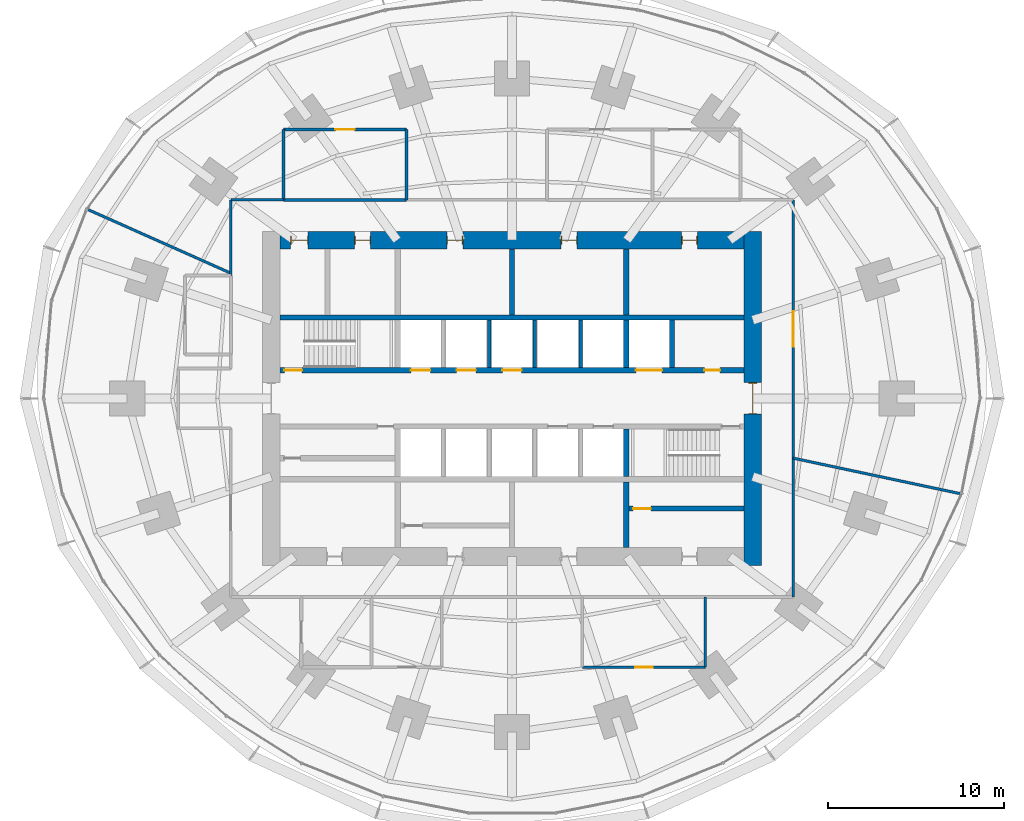
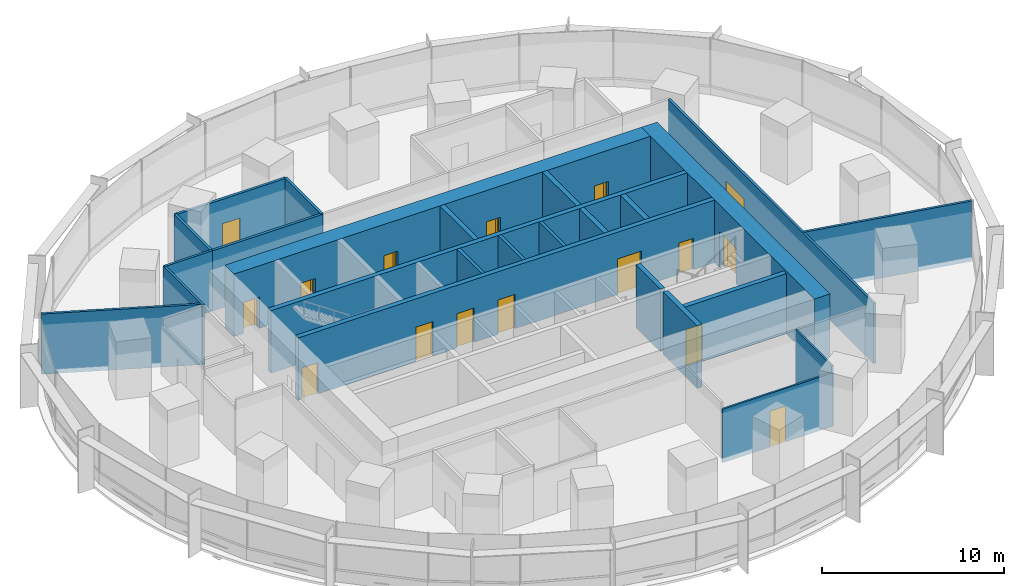
# One storey, part 12 of 15: 25 walls, 16 doors, 16 openings.
"""IFC4 building model written with IfcOpenShell, lengths in metres."""

from ifc_helpers import new_model, si_unit, direction, frame, frame_2d, origin, place, context, subcontext, project, spatial, rectangle, extrude, material, layer, layer_set, type_object, element, fill, save


model = new_model("IFC4")

# Units and contexts
model_context = context("Model", 3, precision=1e-05, world=origin(), true_north=direction((0.0, 1.0)))
body_context = subcontext(model_context, "Body", "Model", "MODEL_VIEW")
ifc_project = project(units=[si_unit("LENGTHUNIT", "METRE"), si_unit("AREAUNIT", "SQUARE_METRE"), si_unit("VOLUMEUNIT", "CUBIC_METRE"), si_unit("PLANEANGLEUNIT", "RADIAN"), si_unit("MASSUNIT", "GRAM", prefix="KILO")], contexts=[model_context])

# Site, building, storey
site_placement = place(None, origin())
site = spatial("IfcSite", under=ifc_project, at=site_placement, CompositionType="ELEMENT")
building_placement = place(site_placement, origin())
building = spatial("IfcBuilding", under=site, at=building_placement, Name="Marramba Exchange Tower", CompositionType="ELEMENT")
storey_placement = place(building_placement, frame((0.0, 0.0, 40.60009765625)))
storey = spatial("IfcBuildingStorey", under=building, at=storey_placement, Name="L09", CompositionType="ELEMENT", Elevation=40.60009765625)

# Wall
ifc_material_1 = material(Name="Plasterboard on staggered double steel studs, acoustic insulation", Category="steel")
ifc_layer_1 = layer(ifc_material_1, 0.169921875)
ifc_layer_set_1 = layer_set([ifc_layer_1], Name="Acoustic partition 170")
wall_type_1 = type_object("IfcWallType", Name="Acoustic partition 170", PredefinedType="PARTITIONING", material=ifc_layer_set_1)
wall_1_placement = place(storey_placement, frame((-6.0, 11.300048828125, 0.0), z_axis=(0.0, 0.0, 1.0), x_axis=(0.0, 1.0, 0.0)))
element("IfcWall", 1, at=wall_1_placement, inside=storey, type_object=wall_type_1, Name="Acoustic partition L09 25", PredefinedType="PARTITIONING", context=body_context, shape_type="SweptSolid", body=[
    extrude(rectangle(XDim=4.0, YDim=0.169921875, at=frame_2d((2.0, 0.0))), origin(), (0.0, 0.0, 1.0), 4.039794921875),
])

# Wall, opening, door
wall_2_placement = place(storey_placement, frame((-6.0, 15.300048828125, 0.0), z_axis=(0.0, 0.0, 1.0), x_axis=(-1.0, 0.0, 0.0)))
wall_2 = element("IfcWall", 2, at=wall_2_placement, inside=storey, type_object=wall_type_1, Name="Acoustic partition L09 26", PredefinedType="PARTITIONING", context=body_context, shape_type="SweptSolid", body=[
    extrude(rectangle(XDim=7.0, YDim=0.169921875, at=frame_2d((3.5, 0.0))), origin(), (0.0, 0.0, 1.0), 4.039794921875),
])
opening_1_placement = place(wall_2_placement, frame((2.949951171875, 0.0, 0.0)))
opening_1 = element("IfcOpeningElement", 3, at=opening_1_placement, cuts=wall_2, Name="Opening D15", PredefinedType="OPENING", context=body_context, shape_type="SweptSolid", body=[
    extrude(rectangle(XDim=1.10009765625, YDim=2.39990234375, at=frame_2d((0.550048828125, 1.199951171875))), frame((0.0, 0.094970703125, 0.0), z_axis=(0.0, -1.0, 0.0), x_axis=(1.0, 0.0, 0.0)), (0.0, 0.0, 1.0), 0.18994140625),
])
ifc_material_2 = material(Name="Timber door", Category="wood")
door_type_1 = type_object("IfcDoorType", Name="Glazed meeting room door 1100x2400", OperationType="SINGLE_SWING_LEFT", PredefinedType="DOOR", material=ifc_material_2)
door_1_placement = place(opening_1_placement, origin())
door_1 = element("IfcDoor", 4, at=door_1_placement, inside=storey, type_object=door_type_1, Name="D15 Meeting Room 2 L09", OperationType="SINGLE_SWING_RIGHT", OverallHeight=2.39990234375, OverallWidth=1.10009765625, PredefinedType="DOOR", context=body_context, shape_type="SweptSolid", body=[
    extrude(rectangle(XDim=1.10009765625, YDim=2.39990234375, at=frame_2d((0.550048828125, 1.199951171875))), frame((0.0, 0.02490234375, 0.0), z_axis=(0.0, -1.0, 0.0), x_axis=(1.0, 0.0, 0.0)), (0.0, 0.0, 1.0), 0.050048828125),
])
fill(opening_1, door_1)

# Walls
wall_3_placement = place(storey_placement, frame((-13.0, 11.300048828125, 0.0), z_axis=(0.0, 0.0, 1.0), x_axis=(1.0, 0.0, 0.0)))
element("IfcWall", 5, at=wall_3_placement, inside=storey, type_object=wall_type_1, Name="Acoustic partition L09 27", PredefinedType="PARTITIONING", context=body_context, shape_type="SweptSolid", body=[
    extrude(rectangle(XDim=7.0, YDim=0.169921875, at=frame_2d((3.5, 0.0))), origin(), (0.0, 0.0, 1.0), 4.039794921875),
])
wall_4_placement = place(storey_placement, frame((-13.0, 15.300048828125, 0.0), z_axis=(0.0, 0.0, 1.0), x_axis=(0.0, -1.0, 0.0)))
element("IfcWall", 6, at=wall_4_placement, inside=storey, type_object=wall_type_1, Name="Acoustic partition L09 28", PredefinedType="PARTITIONING", context=body_context, shape_type="SweptSolid", body=[
    extrude(rectangle(XDim=4.0, YDim=0.169921875, at=frame_2d((2.0, 0.0))), origin(), (0.0, 0.0, 1.0), 4.039794921875),
])
ifc_material_3 = material(Name="Concrete N50", Category="concrete")
ifc_layer_2 = layer(ifc_material_3, 0.199951171875)
ifc_layer_set_2 = layer_set([ifc_layer_2], Name="Core shaft wall 200")
wall_type_2 = type_object("IfcWallType", Name="Core shaft wall 200", PredefinedType="SHEAR", material=ifc_layer_set_2)
for number, where, z_axis, x_axis, name in (
    (7, (-1.300048828125, 1.75, 0.0), (0.0, 0.0, 1.0), (0.0, 1.0, 0.0), "Core wall SHN2 L09"),
    (8, (1.300048828125, 1.75, 0.0), (0.0, 0.0, 1.0), (0.0, 1.0, 0.0), "Core wall SHN3 L09"),
    (9, (3.89990234375, 1.75, 0.0), (0.0, 0.0, 1.0), (0.0, 1.0, 0.0), "Core wall SHN4 L09"),
):
    element("IfcWall", number, at=place(storey_placement, frame(where, z_axis=z_axis, x_axis=x_axis)), inside=storey, type_object=wall_type_2, Name=name, PredefinedType="SHEAR", context=body_context, shape_type="SweptSolid", body=[
        extrude(rectangle(XDim=2.699951171875, YDim=0.199951171875, at=frame_2d((1.35009765625, 0.0))), origin(), (0.0, 0.0, 1.0), 4.199951171875),
    ])

# Wall, openings, doors
ifc_layer_3 = layer(ifc_material_3, 1.0)
ifc_layer_set_3 = layer_set([ifc_layer_3], Name="Core wall 1000")
wall_type_3 = type_object("IfcWallType", Name="Core wall 1000", PredefinedType="SHEAR", material=ifc_layer_set_3)
wall_5_placement = place(storey_placement, frame((13.199951171875, 9.0, 0.0), z_axis=(0.0, 0.0, 1.0), x_axis=(-1.0, 0.0, 0.0)))
wall_5 = element("IfcWall", 10, at=wall_5_placement, inside=storey, type_object=wall_type_3, Name="Core wall N L09", PredefinedType="SHEAR", context=body_context, shape_type="SweptSolid", body=[
    extrude(rectangle(XDim=26.39990234375, YDim=1.0, at=frame_2d((13.199951171875, 0.0))), origin(), (0.0, 0.0, 1.0), 4.199951171875),
])
opening_2_placement = place(wall_5_placement, frame((2.64990234375, 0.0, 0.0)))
opening_2 = element("IfcOpeningElement", 11, at=opening_2_placement, cuts=wall_5, Name="Opening D5", PredefinedType="OPENING", context=body_context, shape_type="SweptSolid", body=[
    extrude(rectangle(XDim=0.89990234375, YDim=2.10009765625, at=frame_2d((0.449951171875, 1.050048828125))), frame((0.0, 0.510009765625, 0.0), z_axis=(0.0, -1.0, 0.0), x_axis=(1.0, 0.0, 0.0)), (0.0, 0.0, 1.0), 1.02001953125),
])
opening_3_placement = place(wall_5_placement, frame((9.5, 0.0, 0.0)))
opening_3 = element("IfcOpeningElement", 12, at=opening_3_placement, cuts=wall_5, Name="Opening D3", PredefinedType="OPENING", context=body_context, shape_type="SweptSolid", body=[
    extrude(rectangle(XDim=0.89990234375, YDim=2.10009765625, at=frame_2d((0.449951171875, 1.050048828125))), frame((0.0, 0.510009765625, 0.0), z_axis=(0.0, -1.0, 0.0), x_axis=(1.0, 0.0, 0.0)), (0.0, 0.0, 1.0), 1.02001953125),
])
opening_4_placement = place(wall_5_placement, frame((16.0, 0.0, 0.0)))
opening_4 = element("IfcOpeningElement", 13, at=opening_4_placement, cuts=wall_5, Name="Opening D3", PredefinedType="OPENING", context=body_context, shape_type="SweptSolid", body=[
    extrude(rectangle(XDim=0.89990234375, YDim=2.10009765625, at=frame_2d((0.449951171875, 1.050048828125))), frame((0.0, 0.510009765625, 0.0), z_axis=(0.0, -1.0, 0.0), x_axis=(1.0, 0.0, 0.0)), (0.0, 0.0, 1.0), 1.02001953125),
])
opening_5_placement = place(wall_5_placement, frame((21.25, 0.0, 0.0)))
opening_5 = element("IfcOpeningElement", 14, at=opening_5_placement, cuts=wall_5, Name="Opening D5", PredefinedType="OPENING", context=body_context, shape_type="SweptSolid", body=[
    extrude(rectangle(XDim=0.89990234375, YDim=2.10009765625, at=frame_2d((0.449951171875, 1.050048828125))), frame((0.0, 0.510009765625, 0.0), z_axis=(0.0, -1.0, 0.0), x_axis=(1.0, 0.0, 0.0)), (0.0, 0.0, 1.0), 1.02001953125),
])
opening_6_placement = place(wall_5_placement, frame((24.800048828125, 0.0, 0.0)))
opening_6 = element("IfcOpeningElement", 15, at=opening_6_placement, cuts=wall_5, Name="Opening D4", PredefinedType="OPENING", context=body_context, shape_type="SweptSolid", body=[
    extrude(rectangle(XDim=1.0, YDim=2.10009765625, at=frame_2d((0.5, 1.050048828125))), frame((0.0, 0.510009765625, 0.0), z_axis=(0.0, -1.0, 0.0), x_axis=(1.0, 0.0, 0.0)), (0.0, 0.0, 1.0), 1.02001953125),
])
ifc_material_4 = material(Name="Steel-framed door", Category="steel")
door_type_2 = type_object("IfcDoorType", Name="Accessible toilet door 1000x2100", OperationType="SINGLE_SWING_LEFT", PredefinedType="DOOR", material=ifc_material_4)
door_2_placement = place(opening_6_placement, origin())
door_2 = element("IfcDoor", 16, at=door_2_placement, inside=storey, type_object=door_type_2, Name="D4 awc L09", OperationType="SINGLE_SWING_RIGHT", OverallHeight=2.10009765625, OverallWidth=1.0, PredefinedType="DOOR", context=body_context, shape_type="SweptSolid", body=[
    extrude(rectangle(XDim=0.919921875, YDim=2.06005859375, at=frame_2d((0.5, 1.030029296875))), frame((0.0, 0.02490234375, 0.0), z_axis=(0.0, -1.0, 0.0), x_axis=(1.0, 0.0, 0.0)), (0.0, 0.0, 1.0), 0.050048828125),
    extrude(rectangle(XDim=0.04, YDim=2.10009765625, at=frame_2d((0.02001953125, 1.050048828125))), frame((0.0, 0.25, 0.0), z_axis=(0.0, -1.0, 0.0), x_axis=(1.0, 0.0, 0.0)), (0.0, 0.0, 1.0), 0.5),
    extrude(rectangle(XDim=0.04, YDim=2.10009765625, at=frame_2d((0.97998046875, 1.050048828125))), frame((0.0, 0.25, 0.0), z_axis=(0.0, -1.0, 0.0), x_axis=(1.0, 0.0, 0.0)), (0.0, 0.0, 1.0), 0.5),
    extrude(rectangle(XDim=0.919921875, YDim=0.04, at=frame_2d((0.5, 2.080078125))), frame((0.0, 0.25, 0.0), z_axis=(0.0, -1.0, 0.0), x_axis=(1.0, 0.0, 0.0)), (0.0, 0.0, 1.0), 0.5),
])
fill(opening_6, door_2)
door_type_3 = type_object("IfcDoorType", Name="Service door 900x2100", OperationType="SINGLE_SWING_LEFT", PredefinedType="DOOR", material=ifc_material_4)
door_3_placement = place(opening_2_placement, origin())
door_3 = element("IfcDoor", 17, at=door_3_placement, inside=storey, type_object=door_type_3, Name="D5 comms L09", OperationType="SINGLE_SWING_LEFT", OverallHeight=2.10009765625, OverallWidth=0.89990234375, PredefinedType="DOOR", context=body_context, shape_type="SweptSolid", body=[
    extrude(rectangle(XDim=0.81982421875, YDim=2.06005859375, at=frame_2d((0.449951171875, 1.030029296875))), frame((0.0, 0.02490234375, 0.0), z_axis=(0.0, -1.0, 0.0), x_axis=(1.0, 0.0, 0.0)), (0.0, 0.0, 1.0), 0.050048828125),
    extrude(rectangle(XDim=0.04, YDim=2.10009765625, at=frame_2d((0.02001953125, 1.050048828125))), frame((0.0, 0.25, 0.0), z_axis=(0.0, -1.0, 0.0), x_axis=(1.0, 0.0, 0.0)), (0.0, 0.0, 1.0), 0.5),
    extrude(rectangle(XDim=0.04, YDim=2.10009765625, at=frame_2d((0.8798828125, 1.050048828125))), frame((0.0, 0.25, 0.0), z_axis=(0.0, -1.0, 0.0), x_axis=(1.0, 0.0, 0.0)), (0.0, 0.0, 1.0), 0.5),
    extrude(rectangle(XDim=0.81982421875, YDim=0.04, at=frame_2d((0.449951171875, 2.080078125))), frame((0.0, 0.25, 0.0), z_axis=(0.0, -1.0, 0.0), x_axis=(1.0, 0.0, 0.0)), (0.0, 0.0, 1.0), 0.5),
])
fill(opening_2, door_3)
door_4_placement = place(opening_5_placement, origin())
door_4 = element("IfcDoor", 18, at=door_4_placement, inside=storey, type_object=door_type_3, Name="D5 cleaner L09", OperationType="SINGLE_SWING_RIGHT", OverallHeight=2.10009765625, OverallWidth=0.89990234375, PredefinedType="DOOR", context=body_context, shape_type="SweptSolid", body=[
    extrude(rectangle(XDim=0.81982421875, YDim=2.06005859375, at=frame_2d((0.449951171875, 1.030029296875))), frame((0.0, 0.02490234375, 0.0), z_axis=(0.0, -1.0, 0.0), x_axis=(1.0, 0.0, 0.0)), (0.0, 0.0, 1.0), 0.050048828125),
    extrude(rectangle(XDim=0.04, YDim=2.10009765625, at=frame_2d((0.02001953125, 1.050048828125))), frame((0.0, 0.25, 0.0), z_axis=(0.0, -1.0, 0.0), x_axis=(1.0, 0.0, 0.0)), (0.0, 0.0, 1.0), 0.5),
    extrude(rectangle(XDim=0.04, YDim=2.10009765625, at=frame_2d((0.8798828125, 1.050048828125))), frame((0.0, 0.25, 0.0), z_axis=(0.0, -1.0, 0.0), x_axis=(1.0, 0.0, 0.0)), (0.0, 0.0, 1.0), 0.5),
    extrude(rectangle(XDim=0.81982421875, YDim=0.04, at=frame_2d((0.449951171875, 2.080078125))), frame((0.0, 0.25, 0.0), z_axis=(0.0, -1.0, 0.0), x_axis=(1.0, 0.0, 0.0)), (0.0, 0.0, 1.0), 0.5),
])
fill(opening_5, door_4)
door_type_4 = type_object("IfcDoorType", Name="Toilet door 900x2100", OperationType="SINGLE_SWING_LEFT", PredefinedType="DOOR", material=ifc_material_4)
door_5_placement = place(opening_3_placement, origin())
door_5 = element("IfcDoor", 19, at=door_5_placement, inside=storey, type_object=door_type_4, Name="D3 wc-f L09", OperationType="SINGLE_SWING_RIGHT", OverallHeight=2.10009765625, OverallWidth=0.89990234375, PredefinedType="DOOR", context=body_context, shape_type="SweptSolid", body=[
    extrude(rectangle(XDim=0.81982421875, YDim=2.06005859375, at=frame_2d((0.449951171875, 1.030029296875))), frame((0.0, 0.02490234375, 0.0), z_axis=(0.0, -1.0, 0.0), x_axis=(1.0, 0.0, 0.0)), (0.0, 0.0, 1.0), 0.050048828125),
    extrude(rectangle(XDim=0.04, YDim=2.10009765625, at=frame_2d((0.02001953125, 1.050048828125))), frame((0.0, 0.25, 0.0), z_axis=(0.0, -1.0, 0.0), x_axis=(1.0, 0.0, 0.0)), (0.0, 0.0, 1.0), 0.5),
    extrude(rectangle(XDim=0.04, YDim=2.10009765625, at=frame_2d((0.8798828125, 1.050048828125))), frame((0.0, 0.25, 0.0), z_axis=(0.0, -1.0, 0.0), x_axis=(1.0, 0.0, 0.0)), (0.0, 0.0, 1.0), 0.5),
    extrude(rectangle(XDim=0.81982421875, YDim=0.04, at=frame_2d((0.449951171875, 2.080078125))), frame((0.0, 0.25, 0.0), z_axis=(0.0, -1.0, 0.0), x_axis=(1.0, 0.0, 0.0)), (0.0, 0.0, 1.0), 0.5),
])
fill(opening_3, door_5)
door_6_placement = place(opening_4_placement, origin())
door_6 = element("IfcDoor", 20, at=door_6_placement, inside=storey, type_object=door_type_4, Name="D3 wc-m L09", OperationType="SINGLE_SWING_RIGHT", OverallHeight=2.10009765625, OverallWidth=0.89990234375, PredefinedType="DOOR", context=body_context, shape_type="SweptSolid", body=[
    extrude(rectangle(XDim=0.81982421875, YDim=2.06005859375, at=frame_2d((0.449951171875, 1.030029296875))), frame((0.0, 0.02490234375, 0.0), z_axis=(0.0, -1.0, 0.0), x_axis=(1.0, 0.0, 0.0)), (0.0, 0.0, 1.0), 0.050048828125),
    extrude(rectangle(XDim=0.04, YDim=2.10009765625, at=frame_2d((0.02001953125, 1.050048828125))), frame((0.0, 0.25, 0.0), z_axis=(0.0, -1.0, 0.0), x_axis=(1.0, 0.0, 0.0)), (0.0, 0.0, 1.0), 0.5),
    extrude(rectangle(XDim=0.04, YDim=2.10009765625, at=frame_2d((0.8798828125, 1.050048828125))), frame((0.0, 0.25, 0.0), z_axis=(0.0, -1.0, 0.0), x_axis=(1.0, 0.0, 0.0)), (0.0, 0.0, 1.0), 0.5),
    extrude(rectangle(XDim=0.81982421875, YDim=0.04, at=frame_2d((0.449951171875, 2.080078125))), frame((0.0, 0.25, 0.0), z_axis=(0.0, -1.0, 0.0), x_axis=(1.0, 0.0, 0.0)), (0.0, 0.0, 1.0), 0.5),
])
fill(opening_4, door_6)

# Wall, opening, door
wall_6_placement = place(storey_placement, frame((13.699951171875, -9.5, 0.0), z_axis=(0.0, 0.0, 1.0), x_axis=(0.0, 1.0, 0.0)))
wall_6 = element("IfcWall", 21, at=wall_6_placement, inside=storey, type_object=wall_type_3, Name="Core wall E L09", PredefinedType="SHEAR", context=body_context, shape_type="SweptSolid", body=[
    extrude(rectangle(XDim=19.0, YDim=1.0, at=frame_2d((9.5, 0.0))), origin(), (0.0, 0.0, 1.0), 4.199951171875),
])
opening_7_placement = place(wall_6_placement, frame((8.60009765625, 0.0, 0.0)))
opening_7 = element("IfcOpeningElement", 22, at=opening_7_placement, cuts=wall_6, Name="Opening D1", PredefinedType="OPENING", context=body_context, shape_type="SweptSolid", body=[
    extrude(rectangle(XDim=1.800048828125, YDim=2.39990234375, at=frame_2d((0.89990234375, 1.199951171875))), frame((0.0, 0.510009765625, 0.0), z_axis=(0.0, -1.0, 0.0), x_axis=(1.0, 0.0, 0.0)), (0.0, 0.0, 1.0), 1.02001953125),
])
door_type_5 = type_object("IfcDoorType", Name="Lobby exit door 1800x2400", OperationType="DOUBLE_DOOR_SINGLE_SWING", PredefinedType="DOOR", material=ifc_material_4)
door_7_placement = place(opening_7_placement, origin())
door_7 = element("IfcDoor", 23, at=door_7_placement, inside=storey, type_object=door_type_5, Name="D1 lobby exit east L09", OperationType="DOUBLE_DOOR_SINGLE_SWING", OverallHeight=2.39990234375, OverallWidth=1.800048828125, PredefinedType="DOOR", context=body_context, shape_type="SweptSolid", body=[
    extrude(rectangle(XDim=1.719970703125, YDim=2.35986328125, at=frame_2d((0.89990234375, 1.179931640625))), frame((0.0, 0.02490234375, 0.0), z_axis=(0.0, -1.0, 0.0), x_axis=(1.0, 0.0, 0.0)), (0.0, 0.0, 1.0), 0.050048828125),
    extrude(rectangle(XDim=0.04, YDim=2.39990234375, at=frame_2d((0.02001953125, 1.199951171875))), frame((0.0, 0.25, 0.0), z_axis=(0.0, -1.0, 0.0), x_axis=(1.0, 0.0, 0.0)), (0.0, 0.0, 1.0), 0.5),
    extrude(rectangle(XDim=0.04, YDim=2.39990234375, at=frame_2d((1.780029296875, 1.199951171875))), frame((0.0, 0.25, 0.0), z_axis=(0.0, -1.0, 0.0), x_axis=(1.0, 0.0, 0.0)), (0.0, 0.0, 1.0), 0.5),
    extrude(rectangle(XDim=1.719970703125, YDim=0.04, at=frame_2d((0.89990234375, 2.3798828125))), frame((0.0, 0.25, 0.0), z_axis=(0.0, -1.0, 0.0), x_axis=(1.0, 0.0, 0.0)), (0.0, 0.0, 1.0), 0.5),
])
fill(opening_7, door_7)

# Wall, openings, doors
ifc_layer_4 = layer(ifc_material_3, 0.300048828125)
ifc_layer_set_4 = layer_set([ifc_layer_4], Name="Core wall 300")
wall_type_4 = type_object("IfcWallType", Name="Core wall 300", PredefinedType="SHEAR", material=ifc_layer_set_4)
wall_7_placement = place(storey_placement, frame((-13.199951171875, 1.60009765625, 0.0), z_axis=(0.0, 0.0, 1.0), x_axis=(1.0, 0.0, 0.0)))
wall_7 = element("IfcWall", 24, at=wall_7_placement, inside=storey, type_object=wall_type_4, Name="Core wall LN L09", PredefinedType="SHEAR", context=body_context, shape_type="SweptSolid", body=[
    extrude(rectangle(XDim=26.39990234375, YDim=0.300048828125, at=frame_2d((13.199951171875, 0.0))), origin(), (0.0, 0.0, 1.0), 4.199951171875),
])
opening_8_placement = place(wall_7_placement, frame((0.25, 0.0, 0.0)))
opening_8 = element("IfcOpeningElement", 25, at=opening_8_placement, cuts=wall_7, Name="Opening D2", PredefinedType="OPENING", context=body_context, shape_type="SweptSolid", body=[
    extrude(rectangle(XDim=1.0, YDim=2.10009765625, at=frame_2d((0.5, 1.050048828125))), frame((0.0, 0.159912109375, 0.0), z_axis=(0.0, -1.0, 0.0), x_axis=(1.0, 0.0, 0.0)), (0.0, 0.0, 1.0), 0.320068359375),
])
opening_9_placement = place(wall_7_placement, frame((20.25, 0.0, 0.0)))
opening_9 = element("IfcOpeningElement", 26, at=opening_9_placement, cuts=wall_7, Name="Opening LD3", PredefinedType="OPENING", context=body_context, shape_type="SweptSolid", body=[
    extrude(rectangle(XDim=1.5, YDim=2.39990234375, at=frame_2d((0.75, 1.199951171875))), frame((0.0, 0.159912109375, 0.0), z_axis=(0.0, -1.0, 0.0), x_axis=(1.0, 0.0, 0.0)), (0.0, 0.0, 1.0), 0.320068359375),
])
opening_10_placement = place(wall_7_placement, frame((7.449951171875, 0.0, 0.0)))
opening_10 = element("IfcOpeningElement", 27, at=opening_10_placement, cuts=wall_7, Name="Opening LD1", PredefinedType="OPENING", context=body_context, shape_type="SweptSolid", body=[
    extrude(rectangle(XDim=1.10009765625, YDim=2.300048828125, at=frame_2d((0.550048828125, 1.14990234375))), frame((0.0, 0.159912109375, 0.0), z_axis=(0.0, -1.0, 0.0), x_axis=(1.0, 0.0, 0.0)), (0.0, 0.0, 1.0), 0.320068359375),
])
opening_11_placement = place(wall_7_placement, frame((10.050048828125, 0.0, 0.0)))
opening_11 = element("IfcOpeningElement", 28, at=opening_11_placement, cuts=wall_7, Name="Opening LD1", PredefinedType="OPENING", context=body_context, shape_type="SweptSolid", body=[
    extrude(rectangle(XDim=1.10009765625, YDim=2.300048828125, at=frame_2d((0.550048828125, 1.14990234375))), frame((0.0, 0.159912109375, 0.0), z_axis=(0.0, -1.0, 0.0), x_axis=(1.0, 0.0, 0.0)), (0.0, 0.0, 1.0), 0.320068359375),
])
opening_12_placement = place(wall_7_placement, frame((12.64990234375, 0.0, 0.0)))
opening_12 = element("IfcOpeningElement", 29, at=opening_12_placement, cuts=wall_7, Name="Opening LD1", PredefinedType="OPENING", context=body_context, shape_type="SweptSolid", body=[
    extrude(rectangle(XDim=1.10009765625, YDim=2.300048828125, at=frame_2d((0.550048828125, 1.14990234375))), frame((0.0, 0.159912109375, 0.0), z_axis=(0.0, -1.0, 0.0), x_axis=(1.0, 0.0, 0.0)), (0.0, 0.0, 1.0), 0.320068359375),
])
opening_13_placement = place(wall_7_placement, frame((24.14990234375, 0.0, 0.0)))
opening_13 = element("IfcOpeningElement", 30, at=opening_13_placement, cuts=wall_7, Name="Opening D5", PredefinedType="OPENING", context=body_context, shape_type="SweptSolid", body=[
    extrude(rectangle(XDim=0.89990234375, YDim=2.10009765625, at=frame_2d((0.449951171875, 1.050048828125))), frame((0.0, 0.159912109375, 0.0), z_axis=(0.0, -1.0, 0.0), x_axis=(1.0, 0.0, 0.0)), (0.0, 0.0, 1.0), 0.320068359375),
])
door_type_6 = type_object("IfcDoorType", Name="Goods lift landing door 1500x2400", OperationType="SLIDING_TO_LEFT", PredefinedType="DOOR", material=ifc_material_4)
door_8_placement = place(opening_9_placement, origin())
door_8 = element("IfcDoor", 31, at=door_8_placement, inside=storey, type_object=door_type_6, Name="GL1 landing door L09", OperationType="SLIDING_TO_LEFT", OverallHeight=2.39990234375, OverallWidth=1.5, PredefinedType="DOOR", context=body_context, shape_type="SweptSolid", body=[
    extrude(rectangle(XDim=1.5, YDim=2.39990234375, at=frame_2d((0.75, 1.199951171875))), frame((0.0, 0.02490234375, 0.0), z_axis=(0.0, -1.0, 0.0), x_axis=(1.0, 0.0, 0.0)), (0.0, 0.0, 1.0), 0.050048828125),
])
fill(opening_9, door_8)
door_type_7 = type_object("IfcDoorType", Name="Lift landing door 1100x2300", OperationType="SLIDING_TO_LEFT", PredefinedType="DOOR", material=ifc_material_4)
door_9_placement = place(opening_10_placement, origin())
door_9 = element("IfcDoor", 32, at=door_9_placement, inside=storey, type_object=door_type_7, Name="LA1 landing door L09", OperationType="SLIDING_TO_LEFT", OverallHeight=2.300048828125, OverallWidth=1.10009765625, PredefinedType="DOOR", context=body_context, shape_type="SweptSolid", body=[
    extrude(rectangle(XDim=1.10009765625, YDim=2.300048828125, at=frame_2d((0.550048828125, 1.14990234375))), frame((0.0, 0.02490234375, 0.0), z_axis=(0.0, -1.0, 0.0), x_axis=(1.0, 0.0, 0.0)), (0.0, 0.0, 1.0), 0.050048828125),
])
fill(opening_10, door_9)
door_10_placement = place(opening_11_placement, origin())
door_10 = element("IfcDoor", 33, at=door_10_placement, inside=storey, type_object=door_type_7, Name="LA2 landing door L09", OperationType="SLIDING_TO_LEFT", OverallHeight=2.300048828125, OverallWidth=1.10009765625, PredefinedType="DOOR", context=body_context, shape_type="SweptSolid", body=[
    extrude(rectangle(XDim=1.10009765625, YDim=2.300048828125, at=frame_2d((0.550048828125, 1.14990234375))), frame((0.0, 0.02490234375, 0.0), z_axis=(0.0, -1.0, 0.0), x_axis=(1.0, 0.0, 0.0)), (0.0, 0.0, 1.0), 0.050048828125),
])
fill(opening_11, door_10)
door_11_placement = place(opening_12_placement, origin())
door_11 = element("IfcDoor", 34, at=door_11_placement, inside=storey, type_object=door_type_7, Name="LA3 landing door L09", OperationType="SLIDING_TO_RIGHT", OverallHeight=2.300048828125, OverallWidth=1.10009765625, PredefinedType="DOOR", context=body_context, shape_type="SweptSolid", body=[
    extrude(rectangle(XDim=1.10009765625, YDim=2.300048828125, at=frame_2d((0.550048828125, 1.14990234375))), frame((0.0, 0.02490234375, 0.0), z_axis=(0.0, -1.0, 0.0), x_axis=(1.0, 0.0, 0.0)), (0.0, 0.0, 1.0), 0.050048828125),
])
fill(opening_12, door_11)
door_12_placement = place(opening_13_placement, origin())
door_12 = element("IfcDoor", 35, at=door_12_placement, inside=storey, type_object=door_type_3, Name="D5 riser L09", OperationType="SINGLE_SWING_RIGHT", OverallHeight=2.10009765625, OverallWidth=0.89990234375, PredefinedType="DOOR", context=body_context, shape_type="SweptSolid", body=[
    extrude(rectangle(XDim=0.89990234375, YDim=2.10009765625, at=frame_2d((0.449951171875, 1.050048828125))), frame((0.0, 0.02490234375, 0.0), z_axis=(0.0, -1.0, 0.0), x_axis=(1.0, 0.0, 0.0)), (0.0, 0.0, 1.0), 0.050048828125),
])
fill(opening_13, door_12)
door_type_8 = type_object("IfcDoorType", Name="Stair door 1000x2100", OperationType="SINGLE_SWING_LEFT", PredefinedType="DOOR", material=ifc_material_4)
door_13_placement = place(opening_8_placement, origin())
door_13 = element("IfcDoor", 36, at=door_13_placement, inside=storey, type_object=door_type_8, Name="D2 stair ST1 L09", OperationType="SINGLE_SWING_LEFT", OverallHeight=2.10009765625, OverallWidth=1.0, PredefinedType="DOOR", context=body_context, shape_type="SweptSolid", body=[
    extrude(rectangle(XDim=1.0, YDim=2.10009765625, at=frame_2d((0.5, 1.050048828125))), frame((0.0, 0.02490234375, 0.0), z_axis=(0.0, -1.0, 0.0), x_axis=(1.0, 0.0, 0.0)), (0.0, 0.0, 1.0), 0.050048828125),
])
fill(opening_8, door_13)

# Walls
wall_8_placement = place(storey_placement, frame((-13.199951171875, 4.60009765625, 0.0), z_axis=(0.0, 0.0, 1.0), x_axis=(1.0, 0.0, 0.0)))
element("IfcWall", 37, at=wall_8_placement, inside=storey, type_object=wall_type_4, Name="Core wall BN L09", PredefinedType="SHEAR", context=body_context, shape_type="SweptSolid", body=[
    extrude(rectangle(XDim=26.39990234375, YDim=0.300048828125, at=frame_2d((13.199951171875, 0.0))), origin(), (0.0, 0.0, 1.0), 4.199951171875),
])
wall_9_placement = place(storey_placement, frame((6.5, 1.75, 0.0), z_axis=(0.0, 0.0, 1.0), x_axis=(0.0, 1.0, 0.0)))
element("IfcWall", 38, at=wall_9_placement, inside=storey, type_object=wall_type_4, Name="Core wall X1Na L09", PredefinedType="SHEAR", context=body_context, shape_type="SweptSolid", body=[
    extrude(rectangle(XDim=2.699951171875, YDim=0.300048828125, at=frame_2d((1.35009765625, 0.0))), origin(), (0.0, 0.0, 1.0), 4.199951171875),
])
for number, where, z_axis, x_axis, name in (
    (39, (6.5, 4.75, 0.0), (0.0, 0.0, 1.0), (0.0, 1.0, 0.0), "Core wall X1Nb L09"),
    (40, (0.0, 4.75, 0.0), (0.0, 0.0, 1.0), (0.0, 1.0, 0.0), "Core wall MN L09"),
):
    element("IfcWall", number, at=place(storey_placement, frame(where, z_axis=z_axis, x_axis=x_axis)), inside=storey, type_object=wall_type_4, Name=name, PredefinedType="SHEAR", context=body_context, shape_type="SweptSolid", body=[
        extrude(rectangle(XDim=3.75, YDim=0.300048828125, at=frame_2d((1.875, 0.0))), origin(), (0.0, 0.0, 1.0), 4.199951171875),
    ])
wall_10_placement = place(storey_placement, frame((6.5, -1.75, 0.0), z_axis=(0.0, 0.0, 1.0), x_axis=(0.0, -1.0, 0.0)))
element("IfcWall", 41, at=wall_10_placement, inside=storey, type_object=wall_type_4, Name="Core wall X1Sa L09", PredefinedType="SHEAR", context=body_context, shape_type="SweptSolid", body=[
    extrude(rectangle(XDim=2.699951171875, YDim=0.300048828125, at=frame_2d((1.35009765625, 0.0))), origin(), (0.0, 0.0, 1.0), 4.199951171875),
])
wall_11_placement = place(storey_placement, frame((6.5, -4.75, 0.0), z_axis=(0.0, 0.0, 1.0), x_axis=(0.0, -1.0, 0.0)))
element("IfcWall", 42, at=wall_11_placement, inside=storey, type_object=wall_type_4, Name="Core wall X1Sb L09", PredefinedType="SHEAR", context=body_context, shape_type="SweptSolid", body=[
    extrude(rectangle(XDim=3.75, YDim=0.300048828125, at=frame_2d((1.875, 0.0))), origin(), (0.0, 0.0, 1.0), 4.199951171875),
])
wall_12_placement = place(storey_placement, frame((9.10009765625, 1.75, 0.0), z_axis=(0.0, 0.0, 1.0), x_axis=(0.0, 1.0, 0.0)))
element("IfcWall", 43, at=wall_12_placement, inside=storey, type_object=wall_type_4, Name="Core wall ED L09", PredefinedType="SHEAR", context=body_context, shape_type="SweptSolid", body=[
    extrude(rectangle(XDim=2.699951171875, YDim=0.300048828125, at=frame_2d((1.35009765625, 0.0))), origin(), (0.0, 0.0, 1.0), 4.199951171875),
])

# Wall, opening, door
ifc_material_5 = material(Name="Plasterboard on steel studs", Category="steel")
ifc_layer_5 = layer(ifc_material_5, 0.1201171875)
ifc_layer_set_5 = layer_set([ifc_layer_5], Name="Partition 120")
wall_type_5 = type_object("IfcWallType", Name="Partition 120", PredefinedType="PARTITIONING", material=ifc_layer_set_5)
wall_13_placement = place(storey_placement, frame((4.0, -15.300048828125, 0.0), z_axis=(0.0, 0.0, 1.0), x_axis=(1.0, 0.0, 0.0)))
wall_13 = element("IfcWall", 44, at=wall_13_placement, inside=storey, type_object=wall_type_5, Name="Partition L09 12", PredefinedType="PARTITIONING", context=body_context, shape_type="SweptSolid", body=[
    extrude(rectangle(XDim=7.0, YDim=0.1201171875, at=frame_2d((3.5, 0.0))), origin(), (0.0, 0.0, 1.0), 3.5859375),
])
opening_14_placement = place(wall_13_placement, frame((3.0, 0.0, 0.0)))
opening_14 = element("IfcOpeningElement", 45, at=opening_14_placement, cuts=wall_13, Name="Opening D9", PredefinedType="OPENING", context=body_context, shape_type="SweptSolid", body=[
    extrude(rectangle(XDim=1.0, YDim=2.39990234375, at=frame_2d((0.5, 1.199951171875))), frame((0.0, 0.070068359375, 0.0), z_axis=(0.0, -1.0, 0.0), x_axis=(1.0, 0.0, 0.0)), (0.0, 0.0, 1.0), 0.14013671875),
])
door_type_9 = type_object("IfcDoorType", Name="Room door 1000x2400", OperationType="SINGLE_SWING_LEFT", PredefinedType="DOOR", material=ifc_material_2)
door_14_placement = place(opening_14_placement, origin())
door_14 = element("IfcDoor", 46, at=door_14_placement, inside=storey, type_object=door_type_9, Name="D9 Pantry L09", OperationType="SINGLE_SWING_RIGHT", OverallHeight=2.39990234375, OverallWidth=1.0, PredefinedType="DOOR", context=body_context, shape_type="SweptSolid", body=[
    extrude(rectangle(XDim=1.0, YDim=2.39990234375, at=frame_2d((0.5, 1.199951171875))), frame((0.0, 0.02490234375, 0.0), z_axis=(0.0, -1.0, 0.0), x_axis=(1.0, 0.0, 0.0)), (0.0, 0.0, 1.0), 0.050048828125),
])
fill(opening_14, door_14)

# Wall
wall_14_placement = place(storey_placement, frame((11.0, -15.300048828125, 0.0), z_axis=(0.0, 0.0, 1.0), x_axis=(0.0, 1.0, 0.0)))
element("IfcWall", 47, at=wall_14_placement, inside=storey, type_object=wall_type_5, Name="Partition L09 13", PredefinedType="PARTITIONING", context=body_context, shape_type="SweptSolid", body=[
    extrude(rectangle(XDim=4.0, YDim=0.1201171875, at=frame_2d((2.0, 0.0))), origin(), (0.0, 0.0, 1.0), 4.039794921875),
])

# Wall, opening, door
ifc_material_6 = material(Name="Plasterboard on steel studs, insulated, unrated", Category="steel")
ifc_layer_6 = layer(ifc_material_6, 0.300048828125)
ifc_layer_set_6 = layer_set([ifc_layer_6], Name="Store partition 300")
wall_type_6 = type_object("IfcWallType", Name="Store partition 300", PredefinedType="PARTITIONING", material=ifc_layer_set_6)
wall_15_placement = place(storey_placement, frame((6.64990234375, -6.27197265625, 0.0), z_axis=(0.0, 0.0, 1.0), x_axis=(1.0, 0.0, 0.0)))
wall_15 = element("IfcWall", 48, at=wall_15_placement, inside=storey, type_object=wall_type_6, Name="Store partition L09 cstore", PredefinedType="PARTITIONING", context=body_context, shape_type="SweptSolid", body=[
    extrude(rectangle(XDim=6.550048828125, YDim=0.300048828125, at=frame_2d((3.27490234375, 0.0))), origin(), (0.0, 0.0, 1.0), 4.039794921875),
])
opening_15_placement = place(wall_15_placement, frame((0.25, 0.0, 0.0)))
opening_15 = element("IfcOpeningElement", 49, at=opening_15_placement, cuts=wall_15, Name="Opening D9", PredefinedType="OPENING", context=body_context, shape_type="SweptSolid", body=[
    extrude(rectangle(XDim=1.0, YDim=2.39990234375, at=frame_2d((0.5, 1.199951171875))), frame((0.0, 0.159912109375, 0.0), z_axis=(0.0, -1.0, 0.0), x_axis=(1.0, 0.0, 0.0)), (0.0, 0.0, 1.0), 0.320068359375),
])
door_15_placement = place(opening_15_placement, origin())
door_15 = element("IfcDoor", 50, at=door_15_placement, inside=storey, type_object=door_type_9, Name="D9 general store L09", OperationType="SINGLE_SWING_LEFT", OverallHeight=2.39990234375, OverallWidth=1.0, PredefinedType="DOOR", context=body_context, shape_type="SweptSolid", body=[
    extrude(rectangle(XDim=1.0, YDim=2.39990234375, at=frame_2d((0.5, 1.199951171875))), frame((0.0, 0.02490234375, 0.0), z_axis=(0.0, -1.0, 0.0), x_axis=(1.0, 0.0, 0.0)), (0.0, 0.0, 1.0), 0.050048828125),
])
fill(opening_15, door_15)

# Wall
ifc_material_7 = material(Name="Fire-rated plasterboard on steel studs, acoustic insulation", Category="steel")
ifc_layer_7 = layer(ifc_material_7, 0.14990234375)
ifc_layer_set_7 = layer_set([ifc_layer_7], Name="Tenancy wall 150")
wall_type_7 = type_object("IfcWallType", Name="Tenancy wall 150", PredefinedType="PARTITIONING", material=ifc_layer_set_7)
wall_16_placement = place(storey_placement, frame((25.50634765625, -5.421630859375, 0.0), z_axis=(0.0, 0.0, 1.0), x_axis=(-0.978145186273, 0.207923049637, 0.0)))
element("IfcWall", 51, at=wall_16_placement, inside=storey, type_object=wall_type_7, Name="Tenancy wall L09 14", PredefinedType="PARTITIONING", context=body_context, shape_type="SweptSolid", body=[
    extrude(rectangle(XDim=9.71875, YDim=0.14990234375, at=frame_2d((4.859375, 0.0))), origin(), (0.0, 0.0, 1.0), 4.039794921875),
])

# Wall, opening, door
wall_17_placement = place(storey_placement, frame((16.0, -11.300048828125, 0.0), z_axis=(0.0, 0.0, 1.0), x_axis=(0.0, 1.0, 0.0)))
wall_17 = element("IfcWall", 52, at=wall_17_placement, inside=storey, type_object=wall_type_7, Name="Tenancy wall L09 15", PredefinedType="PARTITIONING", context=body_context, shape_type="SweptSolid", body=[
    extrude(rectangle(XDim=22.60009765625, YDim=0.14990234375, at=frame_2d((11.300048828125, 0.0))), origin(), (0.0, 0.0, 1.0), 4.039794921875),
])
opening_16_placement = place(wall_17_placement, frame((14.25, 0.0, 0.0)))
opening_16 = element("IfcOpeningElement", 53, at=opening_16_placement, cuts=wall_17, Name="Opening D17", PredefinedType="OPENING", context=body_context, shape_type="SweptSolid", body=[
    extrude(rectangle(XDim=2.0, YDim=2.39990234375, at=frame_2d((1.0, 1.199951171875))), frame((0.0, 0.0849609375, 0.0), z_axis=(0.0, -1.0, 0.0), x_axis=(1.0, 0.0, 0.0)), (0.0, 0.0, 1.0), 0.169921875),
])
door_type_10 = type_object("IfcDoorType", Name="Trading floor entry door pair 2000x2400", OperationType="DOUBLE_DOOR_SINGLE_SWING", PredefinedType="DOOR", material=ifc_material_4)
door_16_placement = place(opening_16_placement, origin())
door_16 = element("IfcDoor", 54, at=door_16_placement, inside=storey, type_object=door_type_10, Name="D17 Trading Floor 1 L09", OperationType="DOUBLE_DOOR_SINGLE_SWING", OverallHeight=2.39990234375, OverallWidth=2.0, PredefinedType="DOOR", context=body_context, shape_type="SweptSolid", body=[
    extrude(rectangle(XDim=2.0, YDim=2.39990234375, at=frame_2d((1.0, 1.199951171875))), frame((0.0, 0.02490234375, 0.0), z_axis=(0.0, -1.0, 0.0), x_axis=(1.0, 0.0, 0.0)), (0.0, 0.0, 1.0), 0.050048828125),
])
fill(opening_16, door_16)

# Walls
wall_18_placement = place(storey_placement, frame((-13.0, 11.300048828125, 0.0), z_axis=(0.0, 0.0, 1.0), x_axis=(-1.0, 0.0, 0.0)))
element("IfcWall", 55, at=wall_18_placement, inside=storey, type_object=wall_type_7, Name="Tenancy wall L09 29", PredefinedType="PARTITIONING", context=body_context, shape_type="SweptSolid", body=[
    extrude(rectangle(XDim=3.0, YDim=0.14990234375, at=frame_2d((1.5, 0.0))), origin(), (0.0, 0.0, 1.0), 4.039794921875),
])
wall_19_placement = place(storey_placement, frame((-16.0, 11.300048828125, 0.0), z_axis=(0.0, 0.0, 1.0), x_axis=(0.0, -1.0, 0.0)))
element("IfcWall", 56, at=wall_19_placement, inside=storey, type_object=wall_type_7, Name="Tenancy wall L09 30", PredefinedType="PARTITIONING", context=body_context, shape_type="SweptSolid", body=[
    extrude(rectangle(XDim=4.300048828125, YDim=0.14990234375, at=frame_2d((2.14990234375, 0.0))), origin(), (0.0, 0.0, 1.0), 4.039794921875),
])
wall_20_placement = place(storey_placement, frame((-16.0, 7.123779296875, 0.0), z_axis=(0.0, 0.0, 1.0), x_axis=(-0.913550959064, 0.406724286457, 0.0)))
element("IfcWall", 57, at=wall_20_placement, inside=storey, type_object=wall_type_7, Name="Tenancy wall L09 31", PredefinedType="PARTITIONING", context=body_context, shape_type="SweptSolid", body=[
    extrude(rectangle(XDim=8.892333984375, YDim=0.14990234375, at=frame_2d((4.4462890625, 0.0))), origin(), (0.0, 0.0, 1.0), 4.039794921875),
])

save(model, "model.ifc")
